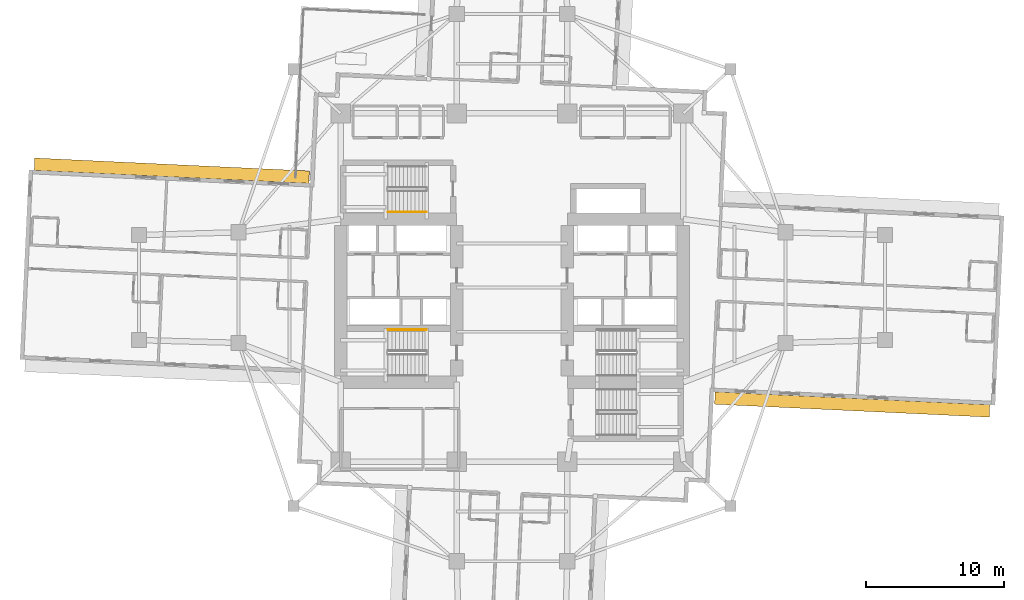
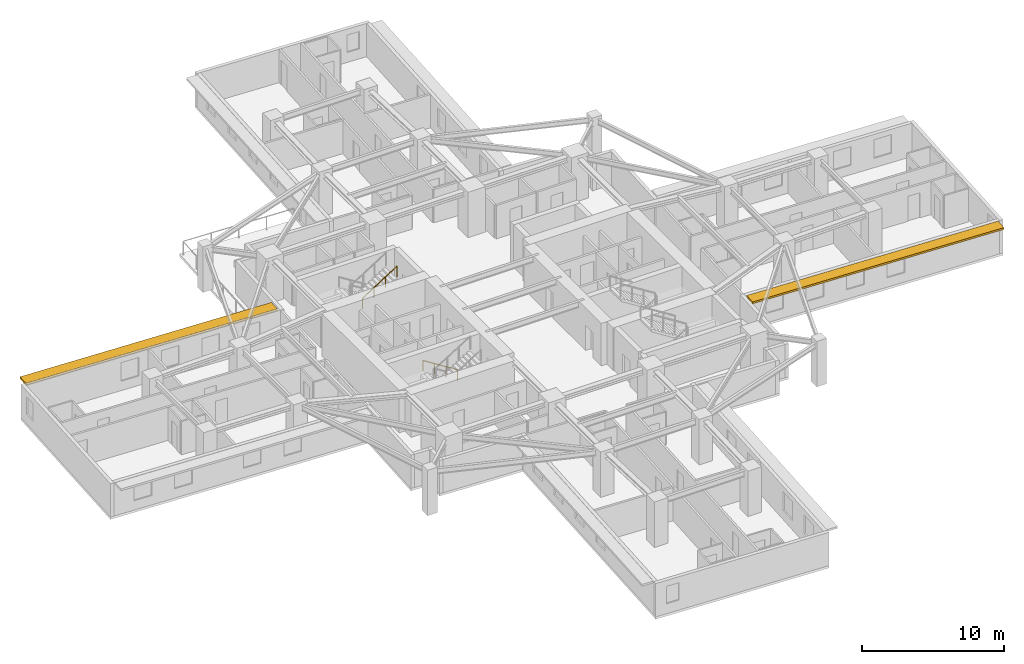
# One storey, part 11 of 13: 2 railings, 2 shading devices.
"""IFC4 building model written with IfcOpenShell, lengths in metres."""

from ifc_helpers import new_model, si_unit, direction, frame, origin, origin_2d, place, context, subcontext, project, spatial, rectangle, circle, extrude, material, layer, layer_set, type_object, element, save


model = new_model("IFC4")

# Units and contexts
model_context = context("Model", 3, precision=1e-05, world=origin(), true_north=direction((0.0, 1.0)))
body_context = subcontext(model_context, "Body", "Model", "MODEL_VIEW")
ifc_project = project(units=[si_unit("LENGTHUNIT", "METRE"), si_unit("AREAUNIT", "SQUARE_METRE"), si_unit("VOLUMEUNIT", "CUBIC_METRE"), si_unit("PLANEANGLEUNIT", "RADIAN"), si_unit("MASSUNIT", "GRAM", prefix="KILO")], contexts=[model_context])

# Site, building, storey
site_placement = place(None, origin())
site = spatial("IfcSite", under=ifc_project, at=site_placement, CompositionType="ELEMENT")
building_placement = place(site_placement, origin())
building = spatial("IfcBuilding", under=site, at=building_placement, Name="Qingluan Cross Belvedere", CompositionType="ELEMENT")
storey_placement = place(building_placement, frame((0.0, 0.0, 91.199951171875)))
storey = spatial("IfcBuildingStorey", under=building, at=storey_placement, Name="L23", CompositionType="ELEMENT", Elevation=91.199951171875)

# Shading devices
ifc_material_1 = material(Name="Precast concrete C45", Category="concrete")
ifc_layer = layer(ifc_material_1, 0.159912109375, Name="ConcreteSunshadeBand_900")
ifc_layer_set = layer_set([ifc_layer], Name="Precast concrete C45")
shading_device_type = type_object("IfcShadingDeviceType", Name="ConcreteSunshadeBand_900", PredefinedType="USERDEFINED", material=ifc_layer_set)
for number, where, z_axis, x_axis, name in (
    (1, (24.618896484375, -8.458984375, 2.68017578125), (0.0, 0.0, 1.0), (0.998889958255, -0.047104684445, 0.0), "Concrete SUNSHADE L23-EA"),
    (2, (-24.618896484375, 8.458984375, 2.68017578125), (0.0, 0.0, 1.0), (-0.998889958255, 0.047104684445, 0.0), "Concrete SUNSHADE L23-WA"),
):
    element("IfcShadingDevice", number, at=place(storey_placement, frame(where, z_axis=z_axis, x_axis=x_axis)), inside=storey, type_object=shading_device_type, Name=name, ObjectType="SUNSHADE", PredefinedType="USERDEFINED", context=body_context, shape_type="SweptSolid", body=[
        extrude(rectangle(XDim=19.89990234375, YDim=0.89990234375, at=origin_2d()), origin(), (0.0, 0.0, 1.0), 0.159912109375),
    ])

# Railings
ifc_material_2 = material(Name="Brushed stainless steel tubular handrail", Category="steel")
railing_type = type_object("IfcRailingType", Name="StairPitchHandrail_900", PredefinedType="HANDRAIL", material=ifc_material_2)
railing_1_placement = place(storey_placement, frame((-6.179931640625, -3.050048828125, 0.17724609375)))
element("IfcRailing", 3, at=railing_1_placement, inside=storey, type_object=railing_type, Name="L23 ST1 stair handrail 1", PredefinedType="HANDRAIL", context=body_context, shape_type="SweptSolid", body=[
    extrude(circle(Radius=0.02392578125, at=origin_2d()), frame((0.0, 0.0, 0.8759765625), z_axis=(-0.844908973607, 0.0, 0.534910110503), x_axis=(0.0, -1.0, 0.0)), (0.0, 0.0, 1.0), 3.31396484375),
    extrude(circle(Radius=0.02099609375, at=origin_2d()), origin(), (0.0, 0.0, 1.0), 0.851806640625),
    extrude(circle(Radius=0.02099609375, at=origin_2d()), frame((-0.933349609375, 0.0, 0.5908203125)), (0.0, 0.0, 1.0), 0.851806640625),
    extrude(circle(Radius=0.02099609375, at=origin_2d()), frame((-1.86669921875, 0.0, 1.181884765625)), (0.0, 0.0, 1.0), 0.851806640625),
    extrude(circle(Radius=0.02099609375, at=origin_2d()), frame((-2.800048828125, 0.0, 1.772705078125)), (0.0, 0.0, 1.0), 0.851806640625),
])
railing_2_placement = place(storey_placement, frame((-8.97998046875, 5.469970703125, 2.12744140625)))
element("IfcRailing", 4, at=railing_2_placement, inside=storey, type_object=railing_type, Name="L23 ST3 stair handrail 2", PredefinedType="HANDRAIL", context=body_context, shape_type="SweptSolid", body=[
    extrude(circle(Radius=0.02392578125, at=origin_2d()), frame((0.0, 0.0, 0.8759765625), z_axis=(0.844908973607, 0.0, 0.534910110503), x_axis=(0.0, 1.0, 0.0)), (0.0, 0.0, 1.0), 3.31396484375),
    extrude(circle(Radius=0.02099609375, at=origin_2d()), origin(), (0.0, 0.0, 1.0), 0.851806640625),
    extrude(circle(Radius=0.02099609375, at=origin_2d()), frame((0.933349609375, 0.0, 0.5908203125)), (0.0, 0.0, 1.0), 0.851806640625),
    extrude(circle(Radius=0.02099609375, at=origin_2d()), frame((1.86669921875, 0.0, 1.181884765625)), (0.0, 0.0, 1.0), 0.851806640625),
    extrude(circle(Radius=0.02099609375, at=origin_2d()), frame((2.800048828125, 0.0, 1.772705078125)), (0.0, 0.0, 1.0), 0.851806640625),
])

save(model, "model.ifc")
